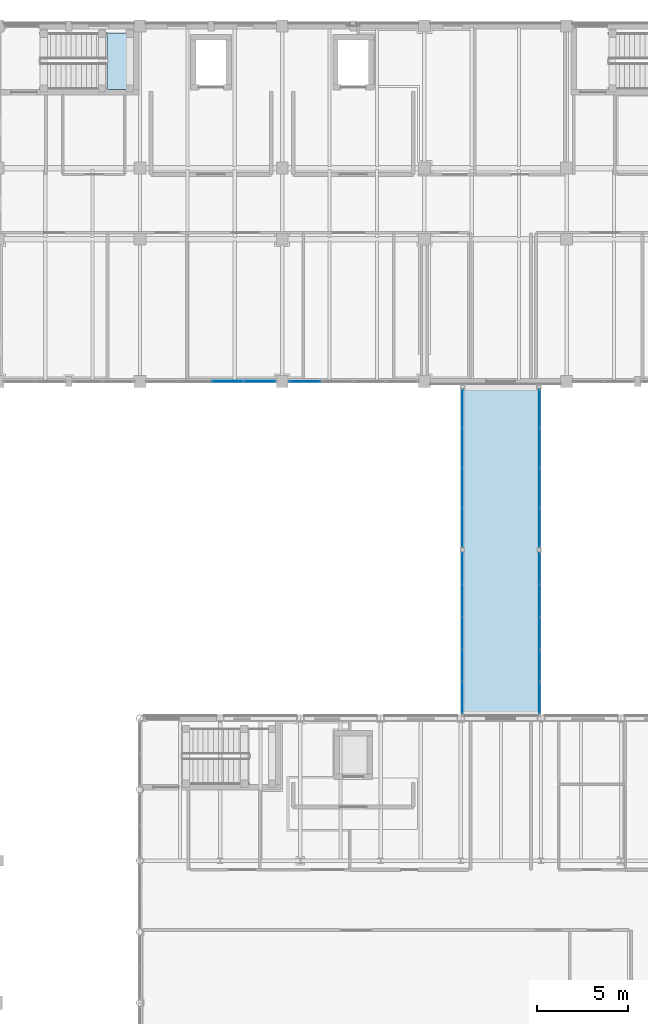
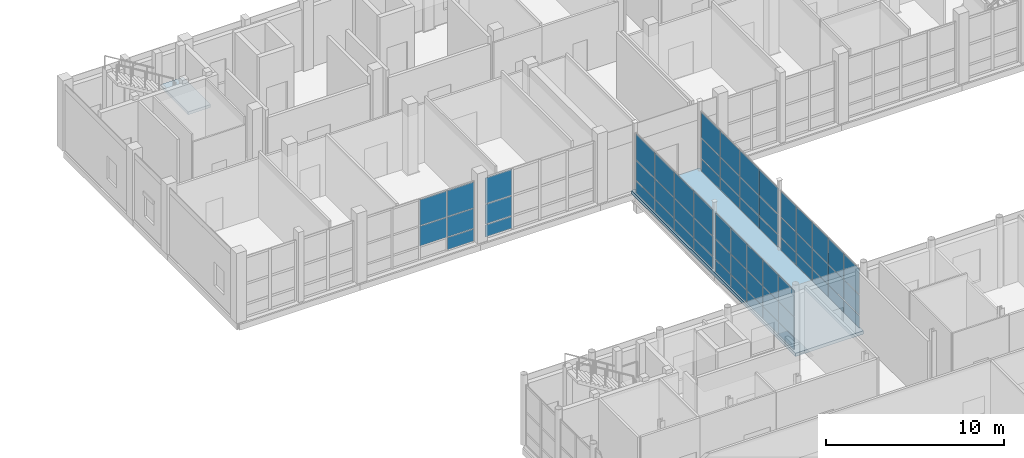
# One storey, part 78 of 131: 62 plates, 2 slabs, 7 elements without a shape of their own.
"""IFC4 building model written with IfcOpenShell, lengths in metres."""

import ifcopenshell
import ifcopenshell.guid

model = None  # the IFC model being written
_history = None  # IfcOwnerHistory: only IFC2X3 demands one
_inside = {}  # id of a spatial element -> (the spatial element, [elements in it])
_under = {}  # id of a project, library or spatial element -> (it, [spatial elements below it])
_declared = {}  # id of a project -> (the project, [libraries it declares])
_typed = {}  # id of a type object -> (the type object, [elements of that type])
_made_of = {}  # id of a material, layer set ... -> (it, [elements and type objects made of it])


def new_model(schema):
    """Start an empty IFC model of exactly this schema.

    Asked for "IFC4X3", IfcOpenShell would pick the latest addendum, in which some entities
    have other attributes; the version numbers below select the first issue.
    IFC2X3 requires an IfcOwnerHistory on every rooted entity: one is made here for all.
    """
    global model, _history
    if schema == "IFC4X3":
        model = ifcopenshell.file(schema_version=(4, 3, 0, 0))
    else:
        model = ifcopenshell.file(schema=schema)
    _inside.clear()
    _under.clear()
    _declared.clear()
    _typed.clear()
    _made_of.clear()
    _history = None
    if model.schema == "IFC2X3":
        org = make("IfcOrganization", Name="unknown")
        user = make(
            "IfcPersonAndOrganization",
            ThePerson=make("IfcPerson", FamilyName="unknown"),
            TheOrganization=org,
        )
        app = make(
            "IfcApplication",
            ApplicationDeveloper=org,
            Version="unknown",
            ApplicationFullName="unknown",
            ApplicationIdentifier="unknown",
        )
        _history = make(
            "IfcOwnerHistory",
            OwningUser=user,
            OwningApplication=app,
            ChangeAction="ADDED",
            CreationDate=0,
        )
    return model


def make(cls, **values):
    """One entity of the class cls with the attributes given. An attribute that is None is left unset."""
    return model.create_entity(
        cls, **{name: value for name, value in values.items() if value is not None}
    )


def rooted(cls, **values):
    """An entity with a GlobalId (a new one), such as an element, a storey or a relation."""
    return make(cls, GlobalId=ifcopenshell.guid.new(), OwnerHistory=_history, **values)


def si_unit(unit_type, name, prefix=None):
    """IfcSIUnit, for example si_unit("LENGTHUNIT", "METRE", prefix="MILLI")."""
    return make("IfcSIUnit", UnitType=unit_type, Prefix=prefix, Name=name)


def assignment(units):
    """IfcUnitAssignment: the units of a project."""
    return None if units is None else make("IfcUnitAssignment", Units=units)


def point(xyz):
    """IfcCartesianPoint."""
    return None if xyz is None else make("IfcCartesianPoint", Coordinates=xyz)


def direction(xyz):
    """IfcDirection."""
    return None if xyz is None else make("IfcDirection", DirectionRatios=xyz)


def frame(location, z_axis=None, x_axis=None):
    """IfcAxis2Placement3D, a coordinate frame: its origin and axes. An axis left out is left unset."""
    return make(
        "IfcAxis2Placement3D",
        Location=point(location),
        Axis=direction(z_axis),
        RefDirection=direction(x_axis),
    )


def frame_2d(location, x_axis=None):
    """IfcAxis2Placement2D, a coordinate frame in the plane: its origin and x axis."""
    return make(
        "IfcAxis2Placement2D", Location=point(location), RefDirection=direction(x_axis)
    )


def origin():
    """The frame at (0, 0, 0) with its axes left unset."""
    return frame((0.0, 0.0, 0.0))


def origin_2d():
    """The frame at (0, 0) in the plane with its x axis left unset."""
    return frame_2d((0.0, 0.0))


def place(relative_to, where):
    """IfcLocalPlacement: puts the frame where relative to a parent placement (None: the world)."""
    return make(
        "IfcLocalPlacement", PlacementRelTo=relative_to, RelativePlacement=where
    )


def context(
    kind, dimensions, precision=None, world=None, true_north=None, identifier=None
):
    """IfcGeometricRepresentationContext, for example the 3D "Model" context."""
    return make(
        "IfcGeometricRepresentationContext",
        ContextIdentifier=identifier,
        ContextType=kind,
        CoordinateSpaceDimension=dimensions,
        Precision=precision,
        WorldCoordinateSystem=world,
        TrueNorth=true_north,
    )


def subcontext(parent, identifier, kind, view, scale=None):
    """IfcGeometricRepresentationSubContext, for example "Body" below "Model"."""
    return make(
        "IfcGeometricRepresentationSubContext",
        ContextIdentifier=identifier,
        ContextType=kind,
        ParentContext=parent,
        TargetScale=scale,
        TargetView=view,
    )


def project(units=None, contexts=None):
    """IfcProject with its units and contexts."""
    return rooted(
        "IfcProject",
        Name="project",
        RepresentationContexts=contexts,
        UnitsInContext=assignment(units),
    )


def spatial(cls, under=None, at=None, **own):
    """A site, building, storey or space (cls), placed at a placement, below another one or the project."""
    s = rooted(cls, ObjectPlacement=at, **own)
    if under is not None:
        _under.setdefault(under.id(), (under, []))[1].append(s)
    return s


def polyline(points):
    """IfcPolyline through the points."""
    return make("IfcPolyline", Points=[point(p) for p in points])


def profile(cls, at=None, kind="AREA", **sizes):
    """A parametric profile (cls). Its sizes go by their IFC names, for example OverallWidth=200.0."""
    return make(cls, ProfileType=kind, Position=at, **sizes)


def rectangle(**sizes):
    """IfcRectangleProfileDef."""
    return profile("IfcRectangleProfileDef", **sizes)


def outline(outer, holes=None, kind="AREA"):
    """IfcArbitraryClosedProfileDef: a profile drawn as a closed curve; with holes, ...WithVoids."""
    if holes is None:
        return make("IfcArbitraryClosedProfileDef", ProfileType=kind, OuterCurve=outer)
    return make(
        "IfcArbitraryProfileDefWithVoids",
        ProfileType=kind,
        OuterCurve=outer,
        InnerCurves=holes,
    )


def extrude(swept, where, along, depth):
    """IfcExtrudedAreaSolid: the profile swept, set in the frame where, extruded along a direction by depth."""
    return make(
        "IfcExtrudedAreaSolid",
        SweptArea=swept,
        Position=where,
        ExtrudedDirection=direction(along),
        Depth=depth,
    )


def shape(context_of_items, identifier, shape_type, items):
    """IfcShapeRepresentation: the items that make up one representation, for example the "Body"."""
    return make(
        "IfcShapeRepresentation",
        ContextOfItems=context_of_items,
        RepresentationIdentifier=identifier,
        RepresentationType=shape_type,
        Items=items,
    )


def material(Name=None, Category=None):
    """IfcMaterial."""
    return make("IfcMaterial", Name=Name, Category=Category)


def layer(
    of_material, thickness, ventilated=None, Name=None, Category=None, Priority=None
):
    """IfcMaterialLayer: one layer of a wall or slab, of a material (None: an air gap)."""
    return make(
        "IfcMaterialLayer",
        Material=of_material,
        LayerThickness=thickness,
        IsVentilated=ventilated,
        Name=Name,
        Category=Category,
        Priority=Priority,
    )


def layer_set(layers, Name=None):
    """IfcMaterialLayerSet."""
    return make("IfcMaterialLayerSet", MaterialLayers=layers, LayerSetName=Name)


def made_of(thing, what):
    """Note that an element or type object is made of a material, layer set ...; save() writes the relation."""
    if what is not None:
        _made_of.setdefault(what.id(), (what, []))[1].append(thing)
    return thing


def type_object(cls, material=None, **own):
    """A type object (cls), such as IfcWallType, which elements share."""
    return made_of(rooted(cls, **own), material)


def element(
    cls,
    number,
    at=None,
    inside=None,
    cuts=None,
    type_object=None,
    material=None,
    context=None,
    identifier="Body",
    shape_type=None,
    held_by="IfcProductDefinitionShape",
    body=None,
    shapes=None,
    **own,
):
    """One element of the class cls, such as IfcWall. Its Tag is "e" and its number.

    at: its placement. inside: the storey or other place that contains it. cuts: it is an
    opening in that element (IfcRelVoidsElement). A single representation is given by context,
    identifier, shape_type and body (its items); several are given by shapes. held_by: the class
    of the entity that holds the representations. save() writes the other relations.
    """
    e = rooted(cls, Tag="e%d" % number, ObjectPlacement=at, **own)
    if body is not None:
        shapes = [shape(context, identifier, shape_type, body)]
    if shapes is not None:
        e.Representation = make(held_by, Representations=shapes)
    if inside is not None:
        _inside.setdefault(inside.id(), (inside, []))[1].append(e)
    if cuts is not None:
        rooted(
            "IfcRelVoidsElement", RelatingBuildingElement=cuts, RelatedOpeningElement=e
        )
    if type_object is not None:
        _typed.setdefault(type_object.id(), (type_object, []))[1].append(e)
    return made_of(e, material)


def aggregate(whole, parts):
    """IfcRelAggregates: a whole, such as a stair, and the parts it consists of."""
    return rooted("IfcRelAggregates", RelatingObject=whole, RelatedObjects=parts)


def save(model, path):
    """Write the relations noted so far, then the file.

    IfcRelAggregates (storeys below a building ...), IfcRelContainedInSpatialStructure (elements
    in a storey), IfcRelDefinesByType, IfcRelAssociatesMaterial and IfcRelDeclares: one each for
    every whole, place, type object, material and project.
    """
    for whole, parts in _under.values():
        aggregate(whole, parts)
    for where, things in _inside.values():
        rooted(
            "IfcRelContainedInSpatialStructure",
            RelatedElements=things,
            RelatingStructure=where,
        )
    for kind, things in _typed.values():
        rooted("IfcRelDefinesByType", RelatedObjects=things, RelatingType=kind)
    for what, things in _made_of.values():
        rooted("IfcRelAssociatesMaterial", RelatedObjects=things, RelatingMaterial=what)
    for by, libraries in _declared.values():
        rooted("IfcRelDeclares", RelatingContext=by, RelatedDefinitions=libraries)
    model.write(path)


model = new_model("IFC4")

# Units and contexts
model_context = context("Model", 3, precision=1e-05, world=origin(), true_north=direction((0.0, 1.0)))
body_context = subcontext(model_context, "Body", "Model", "MODEL_VIEW")
ifc_project = project(units=[si_unit("LENGTHUNIT", "METRE"), si_unit("AREAUNIT", "SQUARE_METRE"), si_unit("VOLUMEUNIT", "CUBIC_METRE"), si_unit("PLANEANGLEUNIT", "RADIAN"), si_unit("MASSUNIT", "GRAM", prefix="KILO")], contexts=[model_context])

# Site, building, storey
site_placement = place(None, origin())
site = spatial("IfcSite", under=ifc_project, at=site_placement, CompositionType="ELEMENT")
building_placement = place(site_placement, origin())
building = spatial("IfcBuilding", under=site, at=building_placement, Name="Celorna Specialist Clinic", CompositionType="ELEMENT")
storey_placement = place(building_placement, origin())
storey = spatial("IfcBuildingStorey", under=building, at=storey_placement, Name="L00", CompositionType="ELEMENT", Elevation=0.0)

# Curtain wall, plates
ifc_material_1 = material(Name="Thermally broken aluminium and solar-control glass curtain wall", Category="aluminium")
ifc_layer_1 = layer(ifc_material_1, 0.159912109375, Name="Thermally broken aluminium and solar-control glass curtain wall")
ifc_layer_set_1 = layer_set([ifc_layer_1], Name="Thermally broken aluminium and solar-control glass curtain wall")
curtain_wall_type_1 = type_object("IfcCurtainWallType", Name="CW-48", PredefinedType="NOTDEFINED", material=ifc_layer_set_1)
curtain_wall_1_placement = place(storey_placement, origin())
curtain_wall_1 = element("IfcCurtainWall", 1, at=curtain_wall_1_placement, inside=storey, type_object=curtain_wall_type_1, Name="Curtain wall CW-48 #89", PredefinedType="NOTDEFINED")
ifc_material_2 = material(Name="Low-e double glazing", Category="glass")
ifc_layer_2 = layer(ifc_material_2, 0.028076171875, Name="Low-e double glazing")
ifc_layer_set_2 = layer_set([ifc_layer_2], Name="Low-e double glazing")
plate_type_1 = type_object("IfcPlateType", Name="CPN-01", PredefinedType="CURTAIN_PANEL", material=ifc_layer_set_2)
plate_1_placement = place(storey_placement, frame((63.63427734375, 96.5, 0.0498046875), z_axis=(0.0, 0.0, 1.0), x_axis=(-1.0, 0.0, 0.0)))
plate_1 = element("IfcPlate", 2, at=plate_1_placement, type_object=plate_type_1, Name="CW-48 panel 4.1", PredefinedType="CURTAIN_PANEL", context=body_context, shape_type="SweptSolid", body=[
    extrude(rectangle(XDim=1.71044921875, YDim=0.028076171875, at=origin_2d()), origin(), (0.0, 0.0, 1.0), 0.824951171875),
])
plate_2_placement = place(storey_placement, frame((63.63427734375, 96.5, 0.925048828125), z_axis=(0.0, 0.0, 1.0), x_axis=(-1.0, 0.0, 0.0)))
plate_2 = element("IfcPlate", 3, at=plate_2_placement, type_object=plate_type_1, Name="CW-48 panel 4.2", PredefinedType="CURTAIN_PANEL", context=body_context, shape_type="SweptSolid", body=[
    extrude(rectangle(XDim=1.71044921875, YDim=0.028076171875, at=origin_2d()), origin(), (0.0, 0.0, 1.0), 1.35009765625),
])
plate_3_placement = place(storey_placement, frame((63.63427734375, 96.5, 2.3251953125), z_axis=(0.0, 0.0, 1.0), x_axis=(-1.0, 0.0, 0.0)))
plate_3 = element("IfcPlate", 4, at=plate_3_placement, type_object=plate_type_1, Name="CW-48 panel 4.3", PredefinedType="CURTAIN_PANEL", context=body_context, shape_type="SweptSolid", body=[
    extrude(rectangle(XDim=1.71044921875, YDim=0.028076171875, at=origin_2d()), origin(), (0.0, 0.0, 1.0), 1.764892578125),
])
aggregate(curtain_wall_1, [plate_1, plate_2, plate_3])

ifc_layer_3 = layer(ifc_material_1, 0.159912109375, Name="Thermally broken aluminium and solar-control glass curtain wall")
ifc_layer_set_3 = layer_set([ifc_layer_3], Name="Thermally broken aluminium and solar-control glass curtain wall")
curtain_wall_type_2 = type_object("IfcCurtainWallType", Name="CW-113", PredefinedType="NOTDEFINED", material=ifc_layer_set_3)
curtain_wall_2_placement = place(storey_placement, origin())
curtain_wall_2 = element("IfcCurtainWall", 5, at=curtain_wall_2_placement, inside=storey, type_object=curtain_wall_type_2, Name="Curtain wall CW-113 #206", PredefinedType="NOTDEFINED")
plate_4_placement = place(storey_placement, frame((72.280029296875, 79.150390625, 0.0498046875), z_axis=(0.0, 0.0, 1.0), x_axis=(0.0, 1.0, 0.0)))
plate_4 = element("IfcPlate", 6, at=plate_4_placement, type_object=plate_type_1, Name="CW-113 panel 1.1", PredefinedType="CURTAIN_PANEL", context=body_context, shape_type="SweptSolid", body=[
    extrude(rectangle(XDim=1.700927734375, YDim=0.028076171875, at=origin_2d()), origin(), (0.0, 0.0, 1.0), 0.824951171875),
])
plate_5_placement = place(storey_placement, frame((72.280029296875, 79.150390625, 0.925048828125), z_axis=(0.0, 0.0, 1.0), x_axis=(0.0, 1.0, 0.0)))
plate_5 = element("IfcPlate", 7, at=plate_5_placement, type_object=plate_type_1, Name="CW-113 panel 1.2", PredefinedType="CURTAIN_PANEL", context=body_context, shape_type="SweptSolid", body=[
    extrude(rectangle(XDim=1.700927734375, YDim=0.028076171875, at=origin_2d()), origin(), (0.0, 0.0, 1.0), 1.35009765625),
])
plate_6_placement = place(storey_placement, frame((72.280029296875, 79.150390625, 2.324951171875), z_axis=(0.0, 0.0, 1.0), x_axis=(0.0, 1.0, 0.0)))
plate_6 = element("IfcPlate", 8, at=plate_6_placement, type_object=plate_type_1, Name="CW-113 panel 1.3", PredefinedType="CURTAIN_PANEL", context=body_context, shape_type="SweptSolid", body=[
    extrude(rectangle(XDim=1.700927734375, YDim=0.028076171875, at=origin_2d()), origin(), (0.0, 0.0, 1.0), 1.7548828125),
])
plate_7_placement = place(storey_placement, frame((72.280029296875, 80.9140625, 0.0498046875), z_axis=(0.0, 0.0, 1.0), x_axis=(0.0, 1.0, 0.0)))
plate_7 = element("IfcPlate", 9, at=plate_7_placement, type_object=plate_type_1, Name="CW-113 panel 2.1", PredefinedType="CURTAIN_PANEL", context=body_context, shape_type="SweptSolid", body=[
    extrude(rectangle(XDim=1.72607421875, YDim=0.028076171875, at=origin_2d()), origin(), (0.0, 0.0, 1.0), 0.824951171875),
])
plate_8_placement = place(storey_placement, frame((72.280029296875, 80.9140625, 0.925048828125), z_axis=(0.0, 0.0, 1.0), x_axis=(0.0, 1.0, 0.0)))
plate_8 = element("IfcPlate", 10, at=plate_8_placement, type_object=plate_type_1, Name="CW-113 panel 2.2", PredefinedType="CURTAIN_PANEL", context=body_context, shape_type="SweptSolid", body=[
    extrude(rectangle(XDim=1.72607421875, YDim=0.028076171875, at=origin_2d()), origin(), (0.0, 0.0, 1.0), 1.35009765625),
])
plate_9_placement = place(storey_placement, frame((72.280029296875, 80.9140625, 2.324951171875), z_axis=(0.0, 0.0, 1.0), x_axis=(0.0, 1.0, 0.0)))
plate_9 = element("IfcPlate", 11, at=plate_9_placement, type_object=plate_type_1, Name="CW-113 panel 2.3", PredefinedType="CURTAIN_PANEL", context=body_context, shape_type="SweptSolid", body=[
    extrude(rectangle(XDim=1.72607421875, YDim=0.028076171875, at=origin_2d()), origin(), (0.0, 0.0, 1.0), 1.7548828125),
])
plate_10_placement = place(storey_placement, frame((72.280029296875, 82.68994140625, 0.0498046875), z_axis=(0.0, 0.0, 1.0), x_axis=(0.0, 1.0, 0.0)))
plate_10 = element("IfcPlate", 12, at=plate_10_placement, type_object=plate_type_1, Name="CW-113 panel 3.1", PredefinedType="CURTAIN_PANEL", context=body_context, shape_type="SweptSolid", body=[
    extrude(rectangle(XDim=1.72607421875, YDim=0.028076171875, at=origin_2d()), origin(), (0.0, 0.0, 1.0), 0.824951171875),
])
plate_11_placement = place(storey_placement, frame((72.280029296875, 82.68994140625, 0.925048828125), z_axis=(0.0, 0.0, 1.0), x_axis=(0.0, 1.0, 0.0)))
plate_11 = element("IfcPlate", 13, at=plate_11_placement, type_object=plate_type_1, Name="CW-113 panel 3.2", PredefinedType="CURTAIN_PANEL", context=body_context, shape_type="SweptSolid", body=[
    extrude(rectangle(XDim=1.72607421875, YDim=0.028076171875, at=origin_2d()), origin(), (0.0, 0.0, 1.0), 1.35009765625),
])
plate_12_placement = place(storey_placement, frame((72.280029296875, 82.68994140625, 2.324951171875), z_axis=(0.0, 0.0, 1.0), x_axis=(0.0, 1.0, 0.0)))
plate_12 = element("IfcPlate", 14, at=plate_12_placement, type_object=plate_type_1, Name="CW-113 panel 3.3", PredefinedType="CURTAIN_PANEL", context=body_context, shape_type="SweptSolid", body=[
    extrude(rectangle(XDim=1.72607421875, YDim=0.028076171875, at=origin_2d()), origin(), (0.0, 0.0, 1.0), 1.7548828125),
])
plate_13_placement = place(storey_placement, frame((72.280029296875, 84.466064453125, 0.0498046875), z_axis=(0.0, 0.0, 1.0), x_axis=(0.0, 1.0, 0.0)))
plate_13 = element("IfcPlate", 15, at=plate_13_placement, type_object=plate_type_1, Name="CW-113 panel 4.1", PredefinedType="CURTAIN_PANEL", context=body_context, shape_type="SweptSolid", body=[
    extrude(rectangle(XDim=1.72607421875, YDim=0.028076171875, at=origin_2d()), origin(), (0.0, 0.0, 1.0), 0.824951171875),
])
plate_14_placement = place(storey_placement, frame((72.280029296875, 84.466064453125, 0.925048828125), z_axis=(0.0, 0.0, 1.0), x_axis=(0.0, 1.0, 0.0)))
plate_14 = element("IfcPlate", 16, at=plate_14_placement, type_object=plate_type_1, Name="CW-113 panel 4.2", PredefinedType="CURTAIN_PANEL", context=body_context, shape_type="SweptSolid", body=[
    extrude(rectangle(XDim=1.72607421875, YDim=0.028076171875, at=origin_2d()), origin(), (0.0, 0.0, 1.0), 1.35009765625),
])
plate_15_placement = place(storey_placement, frame((72.280029296875, 84.466064453125, 2.324951171875), z_axis=(0.0, 0.0, 1.0), x_axis=(0.0, 1.0, 0.0)))
plate_15 = element("IfcPlate", 17, at=plate_15_placement, type_object=plate_type_1, Name="CW-113 panel 4.3", PredefinedType="CURTAIN_PANEL", context=body_context, shape_type="SweptSolid", body=[
    extrude(rectangle(XDim=1.72607421875, YDim=0.028076171875, at=origin_2d()), origin(), (0.0, 0.0, 1.0), 1.7548828125),
])
plate_16_placement = place(storey_placement, frame((72.280029296875, 86.2294921875, 0.0498046875), z_axis=(0.0, 0.0, 1.0), x_axis=(0.0, 1.0, 0.0)))
plate_16 = element("IfcPlate", 18, at=plate_16_placement, type_object=plate_type_1, Name="CW-113 panel 5.1", PredefinedType="CURTAIN_PANEL", context=body_context, shape_type="SweptSolid", body=[
    extrude(rectangle(XDim=1.700927734375, YDim=0.028076171875, at=origin_2d()), origin(), (0.0, 0.0, 1.0), 0.824951171875),
])
plate_17_placement = place(storey_placement, frame((72.280029296875, 86.2294921875, 0.925048828125), z_axis=(0.0, 0.0, 1.0), x_axis=(0.0, 1.0, 0.0)))
plate_17 = element("IfcPlate", 19, at=plate_17_placement, type_object=plate_type_1, Name="CW-113 panel 5.2", PredefinedType="CURTAIN_PANEL", context=body_context, shape_type="SweptSolid", body=[
    extrude(rectangle(XDim=1.700927734375, YDim=0.028076171875, at=origin_2d()), origin(), (0.0, 0.0, 1.0), 1.35009765625),
])
plate_18_placement = place(storey_placement, frame((72.280029296875, 86.2294921875, 2.324951171875), z_axis=(0.0, 0.0, 1.0), x_axis=(0.0, 1.0, 0.0)))
plate_18 = element("IfcPlate", 20, at=plate_18_placement, type_object=plate_type_1, Name="CW-113 panel 5.3", PredefinedType="CURTAIN_PANEL", context=body_context, shape_type="SweptSolid", body=[
    extrude(rectangle(XDim=1.700927734375, YDim=0.028076171875, at=origin_2d()), origin(), (0.0, 0.0, 1.0), 1.7548828125),
])
aggregate(curtain_wall_2, [plate_4, plate_5, plate_6, plate_7, plate_8, plate_9, plate_10, plate_11, plate_12, plate_13, plate_14, plate_15, plate_16, plate_17, plate_18])

ifc_layer_4 = layer(ifc_material_1, 0.159912109375, Name="Thermally broken aluminium and solar-control glass curtain wall")
ifc_layer_set_4 = layer_set([ifc_layer_4], Name="Thermally broken aluminium and solar-control glass curtain wall")
curtain_wall_type_3 = type_object("IfcCurtainWallType", Name="CW-114", PredefinedType="NOTDEFINED", material=ifc_layer_set_4)
curtain_wall_3_placement = place(storey_placement, origin())
curtain_wall_3 = element("IfcCurtainWall", 21, at=curtain_wall_3_placement, inside=storey, type_object=curtain_wall_type_3, Name="Curtain wall CW-114 #207", PredefinedType="NOTDEFINED")
plate_19_placement = place(storey_placement, frame((72.280029296875, 88.47119140625, 0.0498046875), z_axis=(0.0, 0.0, 1.0), x_axis=(0.0, 1.0, 0.0)))
plate_19 = element("IfcPlate", 22, at=plate_19_placement, type_object=plate_type_1, Name="CW-114 panel 1.1", PredefinedType="CURTAIN_PANEL", context=body_context, shape_type="SweptSolid", body=[
    extrude(rectangle(XDim=2.1025390625, YDim=0.028076171875, at=origin_2d()), origin(), (0.0, 0.0, 1.0), 0.824951171875),
])
plate_20_placement = place(storey_placement, frame((72.280029296875, 88.47119140625, 0.925048828125), z_axis=(0.0, 0.0, 1.0), x_axis=(0.0, 1.0, 0.0)))
plate_20 = element("IfcPlate", 23, at=plate_20_placement, type_object=plate_type_1, Name="CW-114 panel 1.2", PredefinedType="CURTAIN_PANEL", context=body_context, shape_type="SweptSolid", body=[
    extrude(rectangle(XDim=2.1025390625, YDim=0.028076171875, at=origin_2d()), origin(), (0.0, 0.0, 1.0), 1.35009765625),
])
plate_21_placement = place(storey_placement, frame((72.280029296875, 88.47119140625, 2.324951171875), z_axis=(0.0, 0.0, 1.0), x_axis=(0.0, 1.0, 0.0)))
plate_21 = element("IfcPlate", 24, at=plate_21_placement, type_object=plate_type_1, Name="CW-114 panel 1.3", PredefinedType="CURTAIN_PANEL", context=body_context, shape_type="SweptSolid", body=[
    extrude(rectangle(XDim=2.1025390625, YDim=0.028076171875, at=origin_2d()), origin(), (0.0, 0.0, 1.0), 1.7548828125),
])
plate_22_placement = place(storey_placement, frame((72.280029296875, 90.63623046875, 0.0498046875), z_axis=(0.0, 0.0, 1.0), x_axis=(0.0, 1.0, 0.0)))
plate_22 = element("IfcPlate", 25, at=plate_22_placement, type_object=plate_type_1, Name="CW-114 panel 2.1", PredefinedType="CURTAIN_PANEL", context=body_context, shape_type="SweptSolid", body=[
    extrude(rectangle(XDim=2.12744140625, YDim=0.028076171875, at=origin_2d()), origin(), (0.0, 0.0, 1.0), 0.824951171875),
])
plate_23_placement = place(storey_placement, frame((72.280029296875, 90.63623046875, 0.925048828125), z_axis=(0.0, 0.0, 1.0), x_axis=(0.0, 1.0, 0.0)))
plate_23 = element("IfcPlate", 26, at=plate_23_placement, type_object=plate_type_1, Name="CW-114 panel 2.2", PredefinedType="CURTAIN_PANEL", context=body_context, shape_type="SweptSolid", body=[
    extrude(rectangle(XDim=2.12744140625, YDim=0.028076171875, at=origin_2d()), origin(), (0.0, 0.0, 1.0), 1.35009765625),
])
plate_24_placement = place(storey_placement, frame((72.280029296875, 90.63623046875, 2.324951171875), z_axis=(0.0, 0.0, 1.0), x_axis=(0.0, 1.0, 0.0)))
plate_24 = element("IfcPlate", 27, at=plate_24_placement, type_object=plate_type_1, Name="CW-114 panel 2.3", PredefinedType="CURTAIN_PANEL", context=body_context, shape_type="SweptSolid", body=[
    extrude(rectangle(XDim=2.12744140625, YDim=0.028076171875, at=origin_2d()), origin(), (0.0, 0.0, 1.0), 1.7548828125),
])
plate_25_placement = place(storey_placement, frame((72.280029296875, 92.813720703125, 0.0498046875), z_axis=(0.0, 0.0, 1.0), x_axis=(0.0, 1.0, 0.0)))
plate_25 = element("IfcPlate", 28, at=plate_25_placement, type_object=plate_type_1, Name="CW-114 panel 3.1", PredefinedType="CURTAIN_PANEL", context=body_context, shape_type="SweptSolid", body=[
    extrude(rectangle(XDim=2.12744140625, YDim=0.028076171875, at=origin_2d()), origin(), (0.0, 0.0, 1.0), 0.824951171875),
])
plate_26_placement = place(storey_placement, frame((72.280029296875, 92.813720703125, 0.925048828125), z_axis=(0.0, 0.0, 1.0), x_axis=(0.0, 1.0, 0.0)))
plate_26 = element("IfcPlate", 29, at=plate_26_placement, type_object=plate_type_1, Name="CW-114 panel 3.2", PredefinedType="CURTAIN_PANEL", context=body_context, shape_type="SweptSolid", body=[
    extrude(rectangle(XDim=2.12744140625, YDim=0.028076171875, at=origin_2d()), origin(), (0.0, 0.0, 1.0), 1.35009765625),
])
plate_27_placement = place(storey_placement, frame((72.280029296875, 92.813720703125, 2.324951171875), z_axis=(0.0, 0.0, 1.0), x_axis=(0.0, 1.0, 0.0)))
plate_27 = element("IfcPlate", 30, at=plate_27_placement, type_object=plate_type_1, Name="CW-114 panel 3.3", PredefinedType="CURTAIN_PANEL", context=body_context, shape_type="SweptSolid", body=[
    extrude(rectangle(XDim=2.12744140625, YDim=0.028076171875, at=origin_2d()), origin(), (0.0, 0.0, 1.0), 1.7548828125),
])
plate_28_placement = place(storey_placement, frame((72.280029296875, 94.978759765625, 0.0498046875), z_axis=(0.0, 0.0, 1.0), x_axis=(0.0, 1.0, 0.0)))
plate_28 = element("IfcPlate", 31, at=plate_28_placement, type_object=plate_type_1, Name="CW-114 panel 4.1", PredefinedType="CURTAIN_PANEL", context=body_context, shape_type="SweptSolid", body=[
    extrude(rectangle(XDim=2.1025390625, YDim=0.028076171875, at=origin_2d()), origin(), (0.0, 0.0, 1.0), 0.824951171875),
])
plate_29_placement = place(storey_placement, frame((72.280029296875, 94.978759765625, 0.925048828125), z_axis=(0.0, 0.0, 1.0), x_axis=(0.0, 1.0, 0.0)))
plate_29 = element("IfcPlate", 32, at=plate_29_placement, type_object=plate_type_1, Name="CW-114 panel 4.2", PredefinedType="CURTAIN_PANEL", context=body_context, shape_type="SweptSolid", body=[
    extrude(rectangle(XDim=2.1025390625, YDim=0.028076171875, at=origin_2d()), origin(), (0.0, 0.0, 1.0), 1.35009765625),
])
plate_30_placement = place(storey_placement, frame((72.280029296875, 94.978759765625, 2.324951171875), z_axis=(0.0, 0.0, 1.0), x_axis=(0.0, 1.0, 0.0)))
plate_30 = element("IfcPlate", 33, at=plate_30_placement, type_object=plate_type_1, Name="CW-114 panel 4.3", PredefinedType="CURTAIN_PANEL", context=body_context, shape_type="SweptSolid", body=[
    extrude(rectangle(XDim=2.1025390625, YDim=0.028076171875, at=origin_2d()), origin(), (0.0, 0.0, 1.0), 1.7548828125),
])
aggregate(curtain_wall_3, [plate_19, plate_20, plate_21, plate_22, plate_23, plate_24, plate_25, plate_26, plate_27, plate_28, plate_29, plate_30])

curtain_wall_4_placement = place(storey_placement, origin())
curtain_wall_4 = element("IfcCurtainWall", 34, at=curtain_wall_4_placement, inside=storey, type_object=curtain_wall_type_3, Name="Curtain wall CW-114 #208", PredefinedType="NOTDEFINED")
plate_31_placement = place(storey_placement, frame((76.52001953125, 94.978759765625, 0.0498046875), z_axis=(0.0, 0.0, 1.0), x_axis=(0.0, -1.0, 0.0)))
plate_31 = element("IfcPlate", 35, at=plate_31_placement, type_object=plate_type_1, Name="CW-114 panel 1.1", PredefinedType="CURTAIN_PANEL", context=body_context, shape_type="SweptSolid", body=[
    extrude(rectangle(XDim=2.1025390625, YDim=0.028076171875, at=origin_2d()), origin(), (0.0, 0.0, 1.0), 0.824951171875),
])
plate_32_placement = place(storey_placement, frame((76.52001953125, 94.978759765625, 0.925048828125), z_axis=(0.0, 0.0, 1.0), x_axis=(0.0, -1.0, 0.0)))
plate_32 = element("IfcPlate", 36, at=plate_32_placement, type_object=plate_type_1, Name="CW-114 panel 1.2", PredefinedType="CURTAIN_PANEL", context=body_context, shape_type="SweptSolid", body=[
    extrude(rectangle(XDim=2.1025390625, YDim=0.028076171875, at=origin_2d()), origin(), (0.0, 0.0, 1.0), 1.35009765625),
])
plate_33_placement = place(storey_placement, frame((76.52001953125, 94.978759765625, 2.324951171875), z_axis=(0.0, 0.0, 1.0), x_axis=(0.0, -1.0, 0.0)))
plate_33 = element("IfcPlate", 37, at=plate_33_placement, type_object=plate_type_1, Name="CW-114 panel 1.3", PredefinedType="CURTAIN_PANEL", context=body_context, shape_type="SweptSolid", body=[
    extrude(rectangle(XDim=2.1025390625, YDim=0.028076171875, at=origin_2d()), origin(), (0.0, 0.0, 1.0), 1.7548828125),
])
plate_34_placement = place(storey_placement, frame((76.52001953125, 92.813720703125, 0.0498046875), z_axis=(0.0, 0.0, 1.0), x_axis=(0.0, -1.0, 0.0)))
plate_34 = element("IfcPlate", 38, at=plate_34_placement, type_object=plate_type_1, Name="CW-114 panel 2.1", PredefinedType="CURTAIN_PANEL", context=body_context, shape_type="SweptSolid", body=[
    extrude(rectangle(XDim=2.12744140625, YDim=0.028076171875, at=origin_2d()), origin(), (0.0, 0.0, 1.0), 0.824951171875),
])
plate_35_placement = place(storey_placement, frame((76.52001953125, 92.813720703125, 0.925048828125), z_axis=(0.0, 0.0, 1.0), x_axis=(0.0, -1.0, 0.0)))
plate_35 = element("IfcPlate", 39, at=plate_35_placement, type_object=plate_type_1, Name="CW-114 panel 2.2", PredefinedType="CURTAIN_PANEL", context=body_context, shape_type="SweptSolid", body=[
    extrude(rectangle(XDim=2.12744140625, YDim=0.028076171875, at=origin_2d()), origin(), (0.0, 0.0, 1.0), 1.35009765625),
])
plate_36_placement = place(storey_placement, frame((76.52001953125, 92.813720703125, 2.324951171875), z_axis=(0.0, 0.0, 1.0), x_axis=(0.0, -1.0, 0.0)))
plate_36 = element("IfcPlate", 40, at=plate_36_placement, type_object=plate_type_1, Name="CW-114 panel 2.3", PredefinedType="CURTAIN_PANEL", context=body_context, shape_type="SweptSolid", body=[
    extrude(rectangle(XDim=2.12744140625, YDim=0.028076171875, at=origin_2d()), origin(), (0.0, 0.0, 1.0), 1.7548828125),
])
plate_37_placement = place(storey_placement, frame((76.52001953125, 90.63623046875, 0.0498046875), z_axis=(0.0, 0.0, 1.0), x_axis=(0.0, -1.0, 0.0)))
plate_37 = element("IfcPlate", 41, at=plate_37_placement, type_object=plate_type_1, Name="CW-114 panel 3.1", PredefinedType="CURTAIN_PANEL", context=body_context, shape_type="SweptSolid", body=[
    extrude(rectangle(XDim=2.12744140625, YDim=0.028076171875, at=origin_2d()), origin(), (0.0, 0.0, 1.0), 0.824951171875),
])
plate_38_placement = place(storey_placement, frame((76.52001953125, 90.63623046875, 0.925048828125), z_axis=(0.0, 0.0, 1.0), x_axis=(0.0, -1.0, 0.0)))
plate_38 = element("IfcPlate", 42, at=plate_38_placement, type_object=plate_type_1, Name="CW-114 panel 3.2", PredefinedType="CURTAIN_PANEL", context=body_context, shape_type="SweptSolid", body=[
    extrude(rectangle(XDim=2.12744140625, YDim=0.028076171875, at=origin_2d()), origin(), (0.0, 0.0, 1.0), 1.35009765625),
])
plate_39_placement = place(storey_placement, frame((76.52001953125, 90.63623046875, 2.324951171875), z_axis=(0.0, 0.0, 1.0), x_axis=(0.0, -1.0, 0.0)))
plate_39 = element("IfcPlate", 43, at=plate_39_placement, type_object=plate_type_1, Name="CW-114 panel 3.3", PredefinedType="CURTAIN_PANEL", context=body_context, shape_type="SweptSolid", body=[
    extrude(rectangle(XDim=2.12744140625, YDim=0.028076171875, at=origin_2d()), origin(), (0.0, 0.0, 1.0), 1.7548828125),
])
plate_40_placement = place(storey_placement, frame((76.52001953125, 88.47119140625, 0.0498046875), z_axis=(0.0, 0.0, 1.0), x_axis=(0.0, -1.0, 0.0)))
plate_40 = element("IfcPlate", 44, at=plate_40_placement, type_object=plate_type_1, Name="CW-114 panel 4.1", PredefinedType="CURTAIN_PANEL", context=body_context, shape_type="SweptSolid", body=[
    extrude(rectangle(XDim=2.1025390625, YDim=0.028076171875, at=origin_2d()), origin(), (0.0, 0.0, 1.0), 0.824951171875),
])
plate_41_placement = place(storey_placement, frame((76.52001953125, 88.47119140625, 0.925048828125), z_axis=(0.0, 0.0, 1.0), x_axis=(0.0, -1.0, 0.0)))
plate_41 = element("IfcPlate", 45, at=plate_41_placement, type_object=plate_type_1, Name="CW-114 panel 4.2", PredefinedType="CURTAIN_PANEL", context=body_context, shape_type="SweptSolid", body=[
    extrude(rectangle(XDim=2.1025390625, YDim=0.028076171875, at=origin_2d()), origin(), (0.0, 0.0, 1.0), 1.35009765625),
])
plate_42_placement = place(storey_placement, frame((76.52001953125, 88.47119140625, 2.324951171875), z_axis=(0.0, 0.0, 1.0), x_axis=(0.0, -1.0, 0.0)))
plate_42 = element("IfcPlate", 46, at=plate_42_placement, type_object=plate_type_1, Name="CW-114 panel 4.3", PredefinedType="CURTAIN_PANEL", context=body_context, shape_type="SweptSolid", body=[
    extrude(rectangle(XDim=2.1025390625, YDim=0.028076171875, at=origin_2d()), origin(), (0.0, 0.0, 1.0), 1.7548828125),
])
aggregate(curtain_wall_4, [plate_31, plate_32, plate_33, plate_34, plate_35, plate_36, plate_37, plate_38, plate_39, plate_40, plate_41, plate_42])

curtain_wall_5_placement = place(storey_placement, origin())
curtain_wall_5 = element("IfcCurtainWall", 47, at=curtain_wall_5_placement, inside=storey, type_object=curtain_wall_type_2, Name="Curtain wall CW-113 #209", PredefinedType="NOTDEFINED")
plate_43_placement = place(storey_placement, frame((76.52001953125, 86.2294921875, 0.0498046875), z_axis=(0.0, 0.0, 1.0), x_axis=(0.0, -1.0, 0.0)))
plate_43 = element("IfcPlate", 48, at=plate_43_placement, type_object=plate_type_1, Name="CW-113 panel 1.1", PredefinedType="CURTAIN_PANEL", context=body_context, shape_type="SweptSolid", body=[
    extrude(rectangle(XDim=1.700927734375, YDim=0.028076171875, at=origin_2d()), origin(), (0.0, 0.0, 1.0), 0.824951171875),
])
plate_44_placement = place(storey_placement, frame((76.52001953125, 86.2294921875, 0.925048828125), z_axis=(0.0, 0.0, 1.0), x_axis=(0.0, -1.0, 0.0)))
plate_44 = element("IfcPlate", 49, at=plate_44_placement, type_object=plate_type_1, Name="CW-113 panel 1.2", PredefinedType="CURTAIN_PANEL", context=body_context, shape_type="SweptSolid", body=[
    extrude(rectangle(XDim=1.700927734375, YDim=0.028076171875, at=origin_2d()), origin(), (0.0, 0.0, 1.0), 1.35009765625),
])
plate_45_placement = place(storey_placement, frame((76.52001953125, 86.2294921875, 2.324951171875), z_axis=(0.0, 0.0, 1.0), x_axis=(0.0, -1.0, 0.0)))
plate_45 = element("IfcPlate", 50, at=plate_45_placement, type_object=plate_type_1, Name="CW-113 panel 1.3", PredefinedType="CURTAIN_PANEL", context=body_context, shape_type="SweptSolid", body=[
    extrude(rectangle(XDim=1.700927734375, YDim=0.028076171875, at=origin_2d()), origin(), (0.0, 0.0, 1.0), 1.7548828125),
])
plate_46_placement = place(storey_placement, frame((76.52001953125, 84.466064453125, 0.0498046875), z_axis=(0.0, 0.0, 1.0), x_axis=(0.0, -1.0, 0.0)))
plate_46 = element("IfcPlate", 51, at=plate_46_placement, type_object=plate_type_1, Name="CW-113 panel 2.1", PredefinedType="CURTAIN_PANEL", context=body_context, shape_type="SweptSolid", body=[
    extrude(rectangle(XDim=1.72607421875, YDim=0.028076171875, at=origin_2d()), origin(), (0.0, 0.0, 1.0), 0.824951171875),
])
plate_47_placement = place(storey_placement, frame((76.52001953125, 84.466064453125, 0.925048828125), z_axis=(0.0, 0.0, 1.0), x_axis=(0.0, -1.0, 0.0)))
plate_47 = element("IfcPlate", 52, at=plate_47_placement, type_object=plate_type_1, Name="CW-113 panel 2.2", PredefinedType="CURTAIN_PANEL", context=body_context, shape_type="SweptSolid", body=[
    extrude(rectangle(XDim=1.72607421875, YDim=0.028076171875, at=origin_2d()), origin(), (0.0, 0.0, 1.0), 1.35009765625),
])
plate_48_placement = place(storey_placement, frame((76.52001953125, 84.466064453125, 2.324951171875), z_axis=(0.0, 0.0, 1.0), x_axis=(0.0, -1.0, 0.0)))
plate_48 = element("IfcPlate", 53, at=plate_48_placement, type_object=plate_type_1, Name="CW-113 panel 2.3", PredefinedType="CURTAIN_PANEL", context=body_context, shape_type="SweptSolid", body=[
    extrude(rectangle(XDim=1.72607421875, YDim=0.028076171875, at=origin_2d()), origin(), (0.0, 0.0, 1.0), 1.7548828125),
])
plate_49_placement = place(storey_placement, frame((76.52001953125, 82.68994140625, 0.0498046875), z_axis=(0.0, 0.0, 1.0), x_axis=(0.0, -1.0, 0.0)))
plate_49 = element("IfcPlate", 54, at=plate_49_placement, type_object=plate_type_1, Name="CW-113 panel 3.1", PredefinedType="CURTAIN_PANEL", context=body_context, shape_type="SweptSolid", body=[
    extrude(rectangle(XDim=1.72607421875, YDim=0.028076171875, at=origin_2d()), origin(), (0.0, 0.0, 1.0), 0.824951171875),
])
plate_50_placement = place(storey_placement, frame((76.52001953125, 82.68994140625, 0.925048828125), z_axis=(0.0, 0.0, 1.0), x_axis=(0.0, -1.0, 0.0)))
plate_50 = element("IfcPlate", 55, at=plate_50_placement, type_object=plate_type_1, Name="CW-113 panel 3.2", PredefinedType="CURTAIN_PANEL", context=body_context, shape_type="SweptSolid", body=[
    extrude(rectangle(XDim=1.72607421875, YDim=0.028076171875, at=origin_2d()), origin(), (0.0, 0.0, 1.0), 1.35009765625),
])
plate_51_placement = place(storey_placement, frame((76.52001953125, 82.68994140625, 2.324951171875), z_axis=(0.0, 0.0, 1.0), x_axis=(0.0, -1.0, 0.0)))
plate_51 = element("IfcPlate", 56, at=plate_51_placement, type_object=plate_type_1, Name="CW-113 panel 3.3", PredefinedType="CURTAIN_PANEL", context=body_context, shape_type="SweptSolid", body=[
    extrude(rectangle(XDim=1.72607421875, YDim=0.028076171875, at=origin_2d()), origin(), (0.0, 0.0, 1.0), 1.7548828125),
])
plate_52_placement = place(storey_placement, frame((76.52001953125, 80.9140625, 0.0498046875), z_axis=(0.0, 0.0, 1.0), x_axis=(0.0, -1.0, 0.0)))
plate_52 = element("IfcPlate", 57, at=plate_52_placement, type_object=plate_type_1, Name="CW-113 panel 4.1", PredefinedType="CURTAIN_PANEL", context=body_context, shape_type="SweptSolid", body=[
    extrude(rectangle(XDim=1.72607421875, YDim=0.028076171875, at=origin_2d()), origin(), (0.0, 0.0, 1.0), 0.824951171875),
])
plate_53_placement = place(storey_placement, frame((76.52001953125, 80.9140625, 0.925048828125), z_axis=(0.0, 0.0, 1.0), x_axis=(0.0, -1.0, 0.0)))
plate_53 = element("IfcPlate", 58, at=plate_53_placement, type_object=plate_type_1, Name="CW-113 panel 4.2", PredefinedType="CURTAIN_PANEL", context=body_context, shape_type="SweptSolid", body=[
    extrude(rectangle(XDim=1.72607421875, YDim=0.028076171875, at=origin_2d()), origin(), (0.0, 0.0, 1.0), 1.35009765625),
])
plate_54_placement = place(storey_placement, frame((76.52001953125, 80.9140625, 2.324951171875), z_axis=(0.0, 0.0, 1.0), x_axis=(0.0, -1.0, 0.0)))
plate_54 = element("IfcPlate", 59, at=plate_54_placement, type_object=plate_type_1, Name="CW-113 panel 4.3", PredefinedType="CURTAIN_PANEL", context=body_context, shape_type="SweptSolid", body=[
    extrude(rectangle(XDim=1.72607421875, YDim=0.028076171875, at=origin_2d()), origin(), (0.0, 0.0, 1.0), 1.7548828125),
])
plate_55_placement = place(storey_placement, frame((76.52001953125, 79.150390625, 0.0498046875), z_axis=(0.0, 0.0, 1.0), x_axis=(0.0, -1.0, 0.0)))
plate_55 = element("IfcPlate", 60, at=plate_55_placement, type_object=plate_type_1, Name="CW-113 panel 5.1", PredefinedType="CURTAIN_PANEL", context=body_context, shape_type="SweptSolid", body=[
    extrude(rectangle(XDim=1.700927734375, YDim=0.028076171875, at=origin_2d()), origin(), (0.0, 0.0, 1.0), 0.824951171875),
])
plate_56_placement = place(storey_placement, frame((76.52001953125, 79.150390625, 0.925048828125), z_axis=(0.0, 0.0, 1.0), x_axis=(0.0, -1.0, 0.0)))
plate_56 = element("IfcPlate", 61, at=plate_56_placement, type_object=plate_type_1, Name="CW-113 panel 5.2", PredefinedType="CURTAIN_PANEL", context=body_context, shape_type="SweptSolid", body=[
    extrude(rectangle(XDim=1.700927734375, YDim=0.028076171875, at=origin_2d()), origin(), (0.0, 0.0, 1.0), 1.35009765625),
])
plate_57_placement = place(storey_placement, frame((76.52001953125, 79.150390625, 2.324951171875), z_axis=(0.0, 0.0, 1.0), x_axis=(0.0, -1.0, 0.0)))
plate_57 = element("IfcPlate", 62, at=plate_57_placement, type_object=plate_type_1, Name="CW-113 panel 5.3", PredefinedType="CURTAIN_PANEL", context=body_context, shape_type="SweptSolid", body=[
    extrude(rectangle(XDim=1.700927734375, YDim=0.028076171875, at=origin_2d()), origin(), (0.0, 0.0, 1.0), 1.7548828125),
])
aggregate(curtain_wall_5, [plate_43, plate_44, plate_45, plate_46, plate_47, plate_48, plate_49, plate_50, plate_51, plate_52, plate_53, plate_54, plate_55, plate_56, plate_57])

ifc_layer_5 = layer(ifc_material_1, 0.159912109375, Name="Thermally broken aluminium and solar-control glass curtain wall")
ifc_layer_set_5 = layer_set([ifc_layer_5], Name="Thermally broken aluminium and solar-control glass curtain wall")
curtain_wall_type_4 = type_object("IfcCurtainWallType", Name="CW-47", PredefinedType="NOTDEFINED", material=ifc_layer_set_5)
curtain_wall_6_placement = place(storey_placement, origin())
curtain_wall_6 = element("IfcCurtainWall", 63, at=curtain_wall_6_placement, inside=storey, type_object=curtain_wall_type_4, Name="Curtain wall CW-47 #88", PredefinedType="NOTDEFINED")
ifc_material_3 = material(Name="Glazed polychrome ceramic insulated spandrel")
ifc_layer_6 = layer(ifc_material_3, 0.0439453125, Name="Glazed polychrome ceramic insulated spandrel")
ifc_layer_set_6 = layer_set([ifc_layer_6], Name="Glazed polychrome ceramic insulated spandrel")
plate_type_2 = type_object("IfcPlateType", Name="CPN-03", PredefinedType="CURTAIN_PANEL", material=ifc_layer_set_6)
plate_58_placement = place(storey_placement, frame((61.165771484375, 96.5, 0.0498046875), z_axis=(0.0, 0.0, 1.0), x_axis=(-1.0, 0.0, 0.0)))
plate_58 = element("IfcPlate", 64, at=plate_58_placement, type_object=plate_type_2, Name="CW-47 panel 1.1", PredefinedType="CURTAIN_PANEL", context=body_context, shape_type="SweptSolid", body=[
    extrude(rectangle(XDim=1.71044921875, YDim=0.0439453125, at=origin_2d()), origin(), (0.0, 0.0, 1.0), 0.824951171875),
])
plate_59_placement = place(storey_placement, frame((61.165771484375, 96.5, 0.925048828125), z_axis=(0.0, 0.0, 1.0), x_axis=(-1.0, 0.0, 0.0)))
plate_59 = element("IfcPlate", 65, at=plate_59_placement, type_object=plate_type_2, Name="CW-47 panel 1.2", PredefinedType="CURTAIN_PANEL", context=body_context, shape_type="SweptSolid", body=[
    extrude(rectangle(XDim=1.71044921875, YDim=0.0439453125, at=origin_2d()), origin(), (0.0, 0.0, 1.0), 1.35009765625),
])
plate_60_placement = place(storey_placement, frame((61.165771484375, 96.5, 2.3251953125), z_axis=(0.0, 0.0, 1.0), x_axis=(-1.0, 0.0, 0.0)))
plate_60 = element("IfcPlate", 66, at=plate_60_placement, type_object=plate_type_2, Name="CW-47 panel 1.3", PredefinedType="CURTAIN_PANEL", context=body_context, shape_type="SweptSolid", body=[
    extrude(rectangle(XDim=1.71044921875, YDim=0.0439453125, at=origin_2d()), origin(), (0.0, 0.0, 1.0), 1.764892578125),
])
plate_61_placement = place(storey_placement, frame((59.392822265625, 96.5, 0.925048828125), z_axis=(0.0, 0.0, 1.0), x_axis=(-1.0, 0.0, 0.0)))
plate_61 = element("IfcPlate", 67, at=plate_61_placement, type_object=plate_type_2, Name="CW-47 panel 2.2", PredefinedType="CURTAIN_PANEL", context=body_context, shape_type="SweptSolid", body=[
    extrude(rectangle(XDim=1.735595703125, YDim=0.0439453125, at=origin_2d()), origin(), (0.0, 0.0, 1.0), 1.35009765625),
])
plate_62_placement = place(storey_placement, frame((59.392822265625, 96.5, 2.3251953125), z_axis=(0.0, 0.0, 1.0), x_axis=(-1.0, 0.0, 0.0)))
plate_62 = element("IfcPlate", 68, at=plate_62_placement, type_object=plate_type_2, Name="CW-47 panel 2.3", PredefinedType="CURTAIN_PANEL", context=body_context, shape_type="SweptSolid", body=[
    extrude(rectangle(XDim=1.735595703125, YDim=0.0439453125, at=origin_2d()), origin(), (0.0, 0.0, 1.0), 1.764892578125),
])
aggregate(curtain_wall_6, [plate_58, plate_59, plate_60, plate_61, plate_62])

# Slab
ifc_material_4 = material(Name="Concrete C35/45", Category="concrete")
ifc_layer_7 = layer(ifc_material_4, 0.219970703125, Name="Concrete C35/45")
ifc_layer_set_7 = layer_set([ifc_layer_7], Name="Concrete C35/45")
slab_type_1 = type_object("IfcSlabType", Name="SL-10", PredefinedType="FLOOR", material=ifc_layer_set_7)
slab_1_placement = place(storey_placement, frame((0.0, 0.0, -0.219970703125)))
element("IfcSlab", 69, at=slab_1_placement, inside=storey, type_object=slab_type_1, Name="Cloister bridge BR-04 L00 deck", PredefinedType="FLOOR", context=body_context, shape_type="SweptSolid", body=[
    extrude(outline(polyline([(72.199951171875, 78.0), (76.60009765625, 78.0), (76.60009765625, 96.419921875), (72.199951171875, 96.419921875), (72.199951171875, 78.0)])), origin(), (0.0, 0.0, 1.0), 0.219970703125),
])

# Stair, slab
stair_type = type_object("IfcStairType", Name="ST-02", PredefinedType="HALF_TURN_STAIR", material=ifc_material_4)
stair_placement = place(storey_placement, origin())
stair = element("IfcStair", 70, at=stair_placement, inside=storey, type_object=stair_type, Name="L00 Protected exit stair ST-01", PredefinedType="HALF_TURN_STAIR")
ifc_layer_8 = layer(ifc_material_4, 0.199951171875, Name="Concrete C35/45")
ifc_layer_set_8 = layer_set([ifc_layer_8], Name="Concrete C35/45")
slab_type_2 = type_object("IfcSlabType", Name="SL-11", PredefinedType="LANDING", material=ifc_layer_set_8)
slab_2_placement = place(storey_placement, frame((0.0, 0.0, 2.199951171875)))
slab_2 = element("IfcSlab", 71, at=slab_2_placement, type_object=slab_type_2, Name="ST-01 landing 1", PredefinedType="LANDING", context=body_context, shape_type="SweptSolid", body=[
    extrude(outline(polyline([(52.780029296875, 112.52001953125), (54.239990234375, 112.52001953125), (54.239990234375, 115.6201171875), (52.780029296875, 115.6201171875), (52.780029296875, 112.52001953125)])), origin(), (0.0, 0.0, 1.0), 0.199951171875),
])
aggregate(stair, [slab_2])

save(model, "model.ifc")
